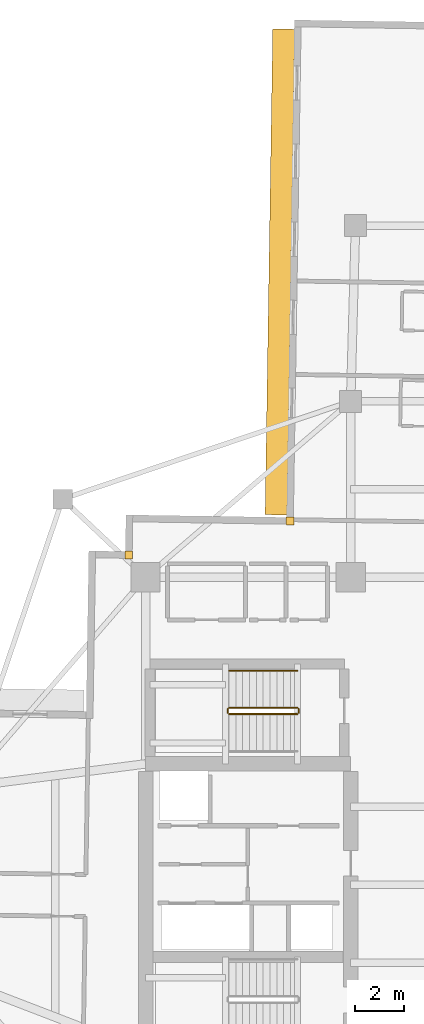
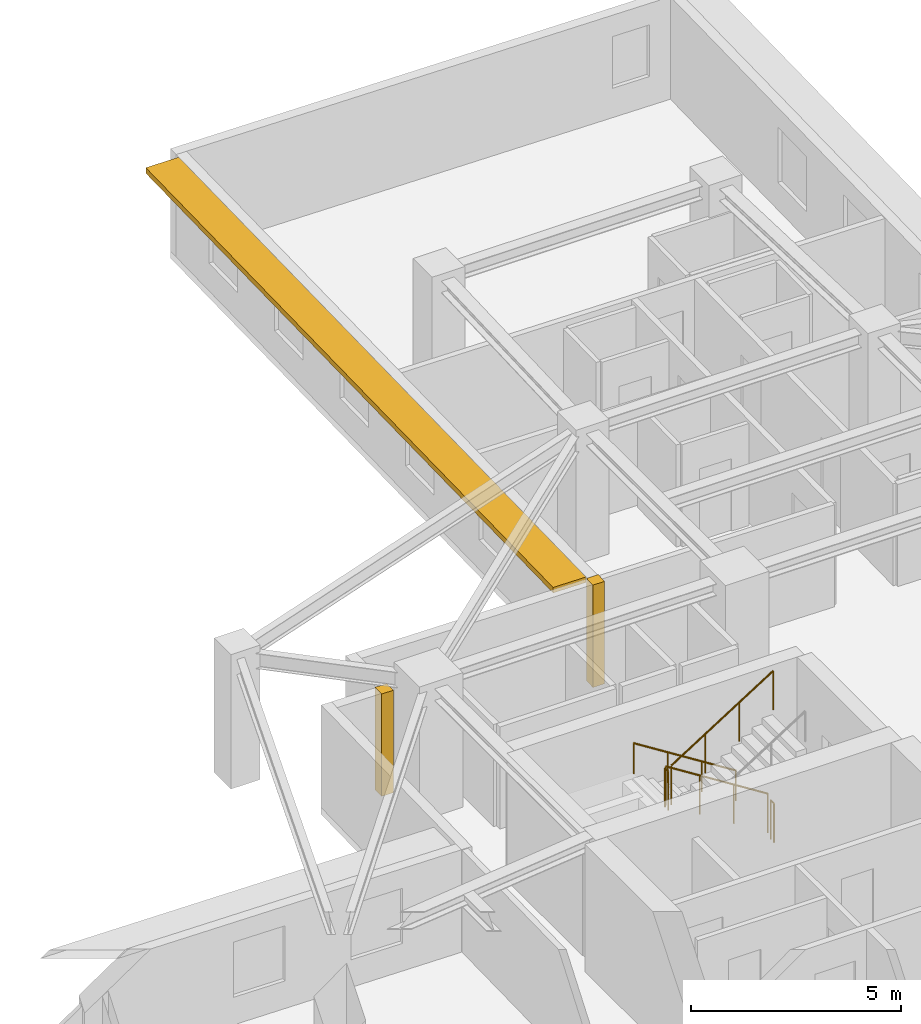
# One storey, part 12 of 13: 5 railings, 2 coverings, 1 shading device.
"""IFC4 building model written with IfcOpenShell, lengths in metres."""

import ifcopenshell
import ifcopenshell.guid

model = None  # the IFC model being written
_history = None  # IfcOwnerHistory: only IFC2X3 demands one
_inside = {}  # id of a spatial element -> (the spatial element, [elements in it])
_under = {}  # id of a project, library or spatial element -> (it, [spatial elements below it])
_declared = {}  # id of a project -> (the project, [libraries it declares])
_typed = {}  # id of a type object -> (the type object, [elements of that type])
_made_of = {}  # id of a material, layer set ... -> (it, [elements and type objects made of it])


def new_model(schema):
    """Start an empty IFC model of exactly this schema.

    Asked for "IFC4X3", IfcOpenShell would pick the latest addendum, in which some entities
    have other attributes; the version numbers below select the first issue.
    IFC2X3 requires an IfcOwnerHistory on every rooted entity: one is made here for all.
    """
    global model, _history
    if schema == "IFC4X3":
        model = ifcopenshell.file(schema_version=(4, 3, 0, 0))
    else:
        model = ifcopenshell.file(schema=schema)
    _inside.clear()
    _under.clear()
    _declared.clear()
    _typed.clear()
    _made_of.clear()
    _history = None
    if model.schema == "IFC2X3":
        org = make("IfcOrganization", Name="unknown")
        user = make(
            "IfcPersonAndOrganization",
            ThePerson=make("IfcPerson", FamilyName="unknown"),
            TheOrganization=org,
        )
        app = make(
            "IfcApplication",
            ApplicationDeveloper=org,
            Version="unknown",
            ApplicationFullName="unknown",
            ApplicationIdentifier="unknown",
        )
        _history = make(
            "IfcOwnerHistory",
            OwningUser=user,
            OwningApplication=app,
            ChangeAction="ADDED",
            CreationDate=0,
        )
    return model


def make(cls, **values):
    """One entity of the class cls with the attributes given. An attribute that is None is left unset."""
    return model.create_entity(
        cls, **{name: value for name, value in values.items() if value is not None}
    )


def rooted(cls, **values):
    """An entity with a GlobalId (a new one), such as an element, a storey or a relation."""
    return make(cls, GlobalId=ifcopenshell.guid.new(), OwnerHistory=_history, **values)


def si_unit(unit_type, name, prefix=None):
    """IfcSIUnit, for example si_unit("LENGTHUNIT", "METRE", prefix="MILLI")."""
    return make("IfcSIUnit", UnitType=unit_type, Prefix=prefix, Name=name)


def assignment(units):
    """IfcUnitAssignment: the units of a project."""
    return None if units is None else make("IfcUnitAssignment", Units=units)


def point(xyz):
    """IfcCartesianPoint."""
    return None if xyz is None else make("IfcCartesianPoint", Coordinates=xyz)


def direction(xyz):
    """IfcDirection."""
    return None if xyz is None else make("IfcDirection", DirectionRatios=xyz)


def frame(location, z_axis=None, x_axis=None):
    """IfcAxis2Placement3D, a coordinate frame: its origin and axes. An axis left out is left unset."""
    return make(
        "IfcAxis2Placement3D",
        Location=point(location),
        Axis=direction(z_axis),
        RefDirection=direction(x_axis),
    )


def frame_2d(location, x_axis=None):
    """IfcAxis2Placement2D, a coordinate frame in the plane: its origin and x axis."""
    return make(
        "IfcAxis2Placement2D", Location=point(location), RefDirection=direction(x_axis)
    )


def origin():
    """The frame at (0, 0, 0) with its axes left unset."""
    return frame((0.0, 0.0, 0.0))


def origin_2d():
    """The frame at (0, 0) in the plane with its x axis left unset."""
    return frame_2d((0.0, 0.0))


def place(relative_to, where):
    """IfcLocalPlacement: puts the frame where relative to a parent placement (None: the world)."""
    return make(
        "IfcLocalPlacement", PlacementRelTo=relative_to, RelativePlacement=where
    )


def context(
    kind, dimensions, precision=None, world=None, true_north=None, identifier=None
):
    """IfcGeometricRepresentationContext, for example the 3D "Model" context."""
    return make(
        "IfcGeometricRepresentationContext",
        ContextIdentifier=identifier,
        ContextType=kind,
        CoordinateSpaceDimension=dimensions,
        Precision=precision,
        WorldCoordinateSystem=world,
        TrueNorth=true_north,
    )


def subcontext(parent, identifier, kind, view, scale=None):
    """IfcGeometricRepresentationSubContext, for example "Body" below "Model"."""
    return make(
        "IfcGeometricRepresentationSubContext",
        ContextIdentifier=identifier,
        ContextType=kind,
        ParentContext=parent,
        TargetScale=scale,
        TargetView=view,
    )


def project(units=None, contexts=None):
    """IfcProject with its units and contexts."""
    return rooted(
        "IfcProject",
        Name="project",
        RepresentationContexts=contexts,
        UnitsInContext=assignment(units),
    )


def spatial(cls, under=None, at=None, **own):
    """A site, building, storey or space (cls), placed at a placement, below another one or the project."""
    s = rooted(cls, ObjectPlacement=at, **own)
    if under is not None:
        _under.setdefault(under.id(), (under, []))[1].append(s)
    return s


def profile(cls, at=None, kind="AREA", **sizes):
    """A parametric profile (cls). Its sizes go by their IFC names, for example OverallWidth=200.0."""
    return make(cls, ProfileType=kind, Position=at, **sizes)


def rectangle(**sizes):
    """IfcRectangleProfileDef."""
    return profile("IfcRectangleProfileDef", **sizes)


def circle(**sizes):
    """IfcCircleProfileDef."""
    return profile("IfcCircleProfileDef", **sizes)


def extrude(swept, where, along, depth):
    """IfcExtrudedAreaSolid: the profile swept, set in the frame where, extruded along a direction by depth."""
    return make(
        "IfcExtrudedAreaSolid",
        SweptArea=swept,
        Position=where,
        ExtrudedDirection=direction(along),
        Depth=depth,
    )


def shape(context_of_items, identifier, shape_type, items):
    """IfcShapeRepresentation: the items that make up one representation, for example the "Body"."""
    return make(
        "IfcShapeRepresentation",
        ContextOfItems=context_of_items,
        RepresentationIdentifier=identifier,
        RepresentationType=shape_type,
        Items=items,
    )


def material(Name=None, Category=None):
    """IfcMaterial."""
    return make("IfcMaterial", Name=Name, Category=Category)


def layer(
    of_material, thickness, ventilated=None, Name=None, Category=None, Priority=None
):
    """IfcMaterialLayer: one layer of a wall or slab, of a material (None: an air gap)."""
    return make(
        "IfcMaterialLayer",
        Material=of_material,
        LayerThickness=thickness,
        IsVentilated=ventilated,
        Name=Name,
        Category=Category,
        Priority=Priority,
    )


def layer_set(layers, Name=None):
    """IfcMaterialLayerSet."""
    return make("IfcMaterialLayerSet", MaterialLayers=layers, LayerSetName=Name)


def made_of(thing, what):
    """Note that an element or type object is made of a material, layer set ...; save() writes the relation."""
    if what is not None:
        _made_of.setdefault(what.id(), (what, []))[1].append(thing)
    return thing


def type_object(cls, material=None, **own):
    """A type object (cls), such as IfcWallType, which elements share."""
    return made_of(rooted(cls, **own), material)


def element(
    cls,
    number,
    at=None,
    inside=None,
    cuts=None,
    type_object=None,
    material=None,
    context=None,
    identifier="Body",
    shape_type=None,
    held_by="IfcProductDefinitionShape",
    body=None,
    shapes=None,
    **own,
):
    """One element of the class cls, such as IfcWall. Its Tag is "e" and its number.

    at: its placement. inside: the storey or other place that contains it. cuts: it is an
    opening in that element (IfcRelVoidsElement). A single representation is given by context,
    identifier, shape_type and body (its items); several are given by shapes. held_by: the class
    of the entity that holds the representations. save() writes the other relations.
    """
    e = rooted(cls, Tag="e%d" % number, ObjectPlacement=at, **own)
    if body is not None:
        shapes = [shape(context, identifier, shape_type, body)]
    if shapes is not None:
        e.Representation = make(held_by, Representations=shapes)
    if inside is not None:
        _inside.setdefault(inside.id(), (inside, []))[1].append(e)
    if cuts is not None:
        rooted(
            "IfcRelVoidsElement", RelatingBuildingElement=cuts, RelatedOpeningElement=e
        )
    if type_object is not None:
        _typed.setdefault(type_object.id(), (type_object, []))[1].append(e)
    return made_of(e, material)


def aggregate(whole, parts):
    """IfcRelAggregates: a whole, such as a stair, and the parts it consists of."""
    return rooted("IfcRelAggregates", RelatingObject=whole, RelatedObjects=parts)


def save(model, path):
    """Write the relations noted so far, then the file.

    IfcRelAggregates (storeys below a building ...), IfcRelContainedInSpatialStructure (elements
    in a storey), IfcRelDefinesByType, IfcRelAssociatesMaterial and IfcRelDeclares: one each for
    every whole, place, type object, material and project.
    """
    for whole, parts in _under.values():
        aggregate(whole, parts)
    for where, things in _inside.values():
        rooted(
            "IfcRelContainedInSpatialStructure",
            RelatedElements=things,
            RelatingStructure=where,
        )
    for kind, things in _typed.values():
        rooted("IfcRelDefinesByType", RelatedObjects=things, RelatingType=kind)
    for what, things in _made_of.values():
        rooted("IfcRelAssociatesMaterial", RelatedObjects=things, RelatingMaterial=what)
    for by, libraries in _declared.values():
        rooted("IfcRelDeclares", RelatingContext=by, RelatedDefinitions=libraries)
    model.write(path)


model = new_model("IFC4")

# Units and contexts
model_context = context("Model", 3, precision=1e-05, world=origin(), true_north=direction((0.0, 1.0)))
body_context = subcontext(model_context, "Body", "Model", "MODEL_VIEW")
ifc_project = project(units=[si_unit("LENGTHUNIT", "METRE"), si_unit("AREAUNIT", "SQUARE_METRE"), si_unit("VOLUMEUNIT", "CUBIC_METRE"), si_unit("PLANEANGLEUNIT", "RADIAN"), si_unit("MASSUNIT", "GRAM", prefix="KILO")], contexts=[model_context])

# Site, building, storey
site_placement = place(None, origin())
site = spatial("IfcSite", under=ifc_project, at=site_placement, CompositionType="ELEMENT")
building_placement = place(site_placement, origin())
building = spatial("IfcBuilding", under=site, at=building_placement, Name="Qingluan Cross Belvedere", CompositionType="ELEMENT")
storey_placement = place(building_placement, frame((0.0, 0.0, 180.0)))
storey = spatial("IfcBuildingStorey", under=building, at=storey_placement, Name="L45", CompositionType="ELEMENT", Elevation=180.0)

# Coverings
ifc_material_1 = material(Name="Precast concrete C45", Category="concrete")
ifc_layer_1 = layer(ifc_material_1, 0.1201171875, Name="ConcreteSpandrelCladding_120")
ifc_layer_set_1 = layer_set([ifc_layer_1], Name="Precast concrete C45")
covering_type = type_object("IfcCoveringType", Name="ConcreteSpandrelCladding_120", PredefinedType="CLADDING", material=ifc_layer_set_1)
for number, where, z_axis, x_axis, name in (
    (1, (-13.089599609375, 13.50732421875, 0.0), (0.0, 0.0, 1.0), (0.999876632482, -0.015707317312, 0.0), "Corner closure L45-NW1"),
    (2, (-6.48681640625, 14.90380859375, 0.0), (0.0, 0.0, 1.0), (0.999876632482, -0.015707317312, 0.0), "Corner closure L45-NW2"),
):
    element("IfcCovering", number, at=place(storey_placement, frame(where, z_axis=z_axis, x_axis=x_axis)), inside=storey, type_object=covering_type, Name=name, PredefinedType="CLADDING", context=body_context, shape_type="SweptSolid", body=[
        extrude(rectangle(XDim=0.320068359375, YDim=0.320068359375, at=origin_2d()), origin(), (0.0, 0.0, 1.0), 2.969970703125),
    ])

# Shading device
ifc_material_2 = material(Name="Precast concrete C45", Category="concrete")
ifc_layer_2 = layer(ifc_material_2, 0.159912109375, Name="ConcreteSunshadeBand_900")
ifc_layer_set_2 = layer_set([ifc_layer_2], Name="Precast concrete C45")
shading_device_type = type_object("IfcShadingDeviceType", Name="ConcreteSunshadeBand_900", PredefinedType="USERDEFINED", material=ifc_layer_set_2)
shading_device_placement = place(storey_placement, frame((-6.896484375, 25.101318359375, 2.7900390625), z_axis=(0.0, 0.0, 1.0), x_axis=(-0.015706483741, -0.999876645576, 0.0)))
element("IfcShadingDevice", 3, at=shading_device_placement, inside=storey, type_object=shading_device_type, Name="Concrete SUNSHADE L45-NB", ObjectType="SUNSHADE", PredefinedType="USERDEFINED", context=body_context, shape_type="SweptSolid", body=[
    extrude(rectangle(XDim=19.89990234375, YDim=0.89990234375, at=origin_2d()), origin(), (0.0, 0.0, 1.0), 0.159912109375),
])

# Railings
ifc_material_3 = material(Name="Brushed stainless steel tubular handrail", Category="steel")
railing_type_1 = type_object("IfcRailingType", Name="StairPitchHandrail_900", PredefinedType="HANDRAIL", material=ifc_material_3)
railing_1_placement = place(storey_placement, frame((-6.179931640625, 8.77001953125, 0.17724609375)))
element("IfcRailing", 4, at=railing_1_placement, inside=storey, type_object=railing_type_1, Name="L45 ST3 stair handrail 1", PredefinedType="HANDRAIL", context=body_context, shape_type="SweptSolid", body=[
    extrude(circle(Radius=0.02392578125, at=origin_2d()), frame((0.0, 0.0, 0.8759765625), z_axis=(-0.844908973607, 0.0, 0.534910110503), x_axis=(0.0, -1.0, 0.0)), (0.0, 0.0, 1.0), 3.31396484375),
    extrude(circle(Radius=0.02099609375, at=origin_2d()), origin(), (0.0, 0.0, 1.0), 0.851806640625),
    extrude(circle(Radius=0.02099609375, at=origin_2d()), frame((-0.933349609375, 0.0, 0.5908203125)), (0.0, 0.0, 1.0), 0.851806640625),
    extrude(circle(Radius=0.02099609375, at=origin_2d()), frame((-1.86669921875, 0.0, 1.181884765625)), (0.0, 0.0, 1.0), 0.851806640625),
    extrude(circle(Radius=0.02099609375, at=origin_2d()), frame((-2.800048828125, 0.0, 1.772705078125)), (0.0, 0.0, 1.0), 0.851806640625),
])
ifc_material_4 = material(Name="Painted steel stair well guard", Category="steel")
railing_type_2 = type_object("IfcRailingType", Name="StairWellGuard_1150", PredefinedType="BALUSTRADE", material=ifc_material_4)
railing_2_placement = place(storey_placement, frame((-6.179931640625, 7.25, 0.17724609375)))
element("IfcRailing", 5, at=railing_2_placement, inside=storey, type_object=railing_type_2, Name="L45 ST3 stair guard 1", PredefinedType="BALUSTRADE", context=body_context, shape_type="SweptSolid", body=[
    extrude(circle(Radius=0.02392578125, at=origin_2d()), frame((0.0, 0.0, 1.1259765625), z_axis=(-0.844908973607, 0.0, 0.534910110503), x_axis=(0.0, -1.0, 0.0)), (0.0, 0.0, 1.0), 3.31396484375),
    extrude(circle(Radius=0.02099609375, at=origin_2d()), origin(), (0.0, 0.0, 1.0), 1.101806640625),
    extrude(circle(Radius=0.02099609375, at=origin_2d()), frame((-0.933349609375, 0.0, 0.5908203125)), (0.0, 0.0, 1.0), 1.101806640625),
    extrude(circle(Radius=0.02099609375, at=origin_2d()), frame((-1.86669921875, 0.0, 1.181884765625)), (0.0, 0.0, 1.0), 1.101806640625),
    extrude(circle(Radius=0.02099609375, at=origin_2d()), frame((-2.800048828125, 0.0, 1.772705078125)), (0.0, 0.0, 1.0), 1.101806640625),
])
railing_3_placement = place(storey_placement, frame((-9.030029296875, 7.199951171875, 1.949951171875)))
element("IfcRailing", 6, at=railing_3_placement, inside=storey, type_object=railing_type_2, Name="L45 ST3 stair guard 2", PredefinedType="BALUSTRADE", context=body_context, shape_type="SweptSolid", body=[
    extrude(circle(Radius=0.02392578125, at=origin_2d()), frame((0.0, 0.0, 1.1259765625), z_axis=(0.0, -1.0, 0.0), x_axis=(1.0, 0.0, 0.0)), (0.0, 0.0, 1.0), 0.159912109375),
    extrude(circle(Radius=0.02099609375, at=origin_2d()), origin(), (0.0, 0.0, 1.0), 1.101806640625),
    extrude(circle(Radius=0.02099609375, at=origin_2d()), frame((0.0, -0.159912109375, 0.0)), (0.0, 0.0, 1.0), 1.101806640625),
])
railing_4_placement = place(storey_placement, frame((-8.97998046875, 6.989990234375, 2.127197265625)))
element("IfcRailing", 7, at=railing_4_placement, inside=storey, type_object=railing_type_2, Name="L45 ST3 stair guard 3", PredefinedType="BALUSTRADE", context=body_context, shape_type="SweptSolid", body=[
    extrude(circle(Radius=0.02392578125, at=origin_2d()), frame((0.0, 0.0, 1.1259765625), z_axis=(0.844908973607, 0.0, 0.534910110503), x_axis=(0.0, 1.0, 0.0)), (0.0, 0.0, 1.0), 3.31396484375),
    extrude(circle(Radius=0.02099609375, at=origin_2d()), origin(), (0.0, 0.0, 1.0), 1.101806640625),
    extrude(circle(Radius=0.02099609375, at=origin_2d()), frame((0.933349609375, 0.0, 0.5908203125)), (0.0, 0.0, 1.0), 1.101806640625),
    extrude(circle(Radius=0.02099609375, at=origin_2d()), frame((1.86669921875, 0.0, 1.181884765625)), (0.0, 0.0, 1.0), 1.101806640625),
    extrude(circle(Radius=0.02099609375, at=origin_2d()), frame((2.800048828125, 0.0, 1.772705078125)), (0.0, 0.0, 1.0), 1.101806640625),
])
railing_5_placement = place(storey_placement, frame((-6.1298828125, 7.199951171875, 0.0)))
element("IfcRailing", 8, at=railing_5_placement, inside=storey, type_object=railing_type_2, Name="L45 ST3 stair guard 4", PredefinedType="BALUSTRADE", context=body_context, shape_type="SweptSolid", body=[
    extrude(circle(Radius=0.02392578125, at=origin_2d()), frame((0.0, 0.0, 1.1259765625), z_axis=(0.0, -1.0, 0.0), x_axis=(1.0, 0.0, 0.0)), (0.0, 0.0, 1.0), 0.159912109375),
    extrude(circle(Radius=0.02099609375, at=origin_2d()), origin(), (0.0, 0.0, 1.0), 1.101806640625),
    extrude(circle(Radius=0.02099609375, at=origin_2d()), frame((0.0, -0.159912109375, 0.0)), (0.0, 0.0, 1.0), 1.101806640625),
])

save(model, "model.ifc")
